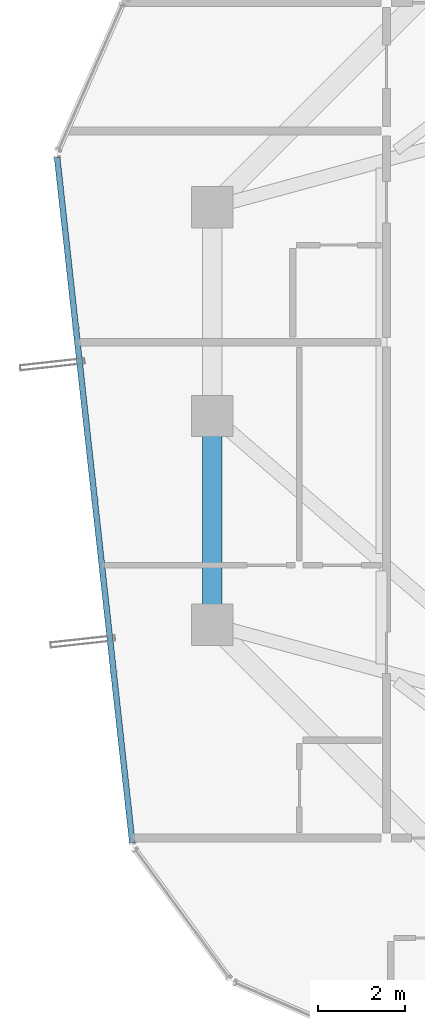
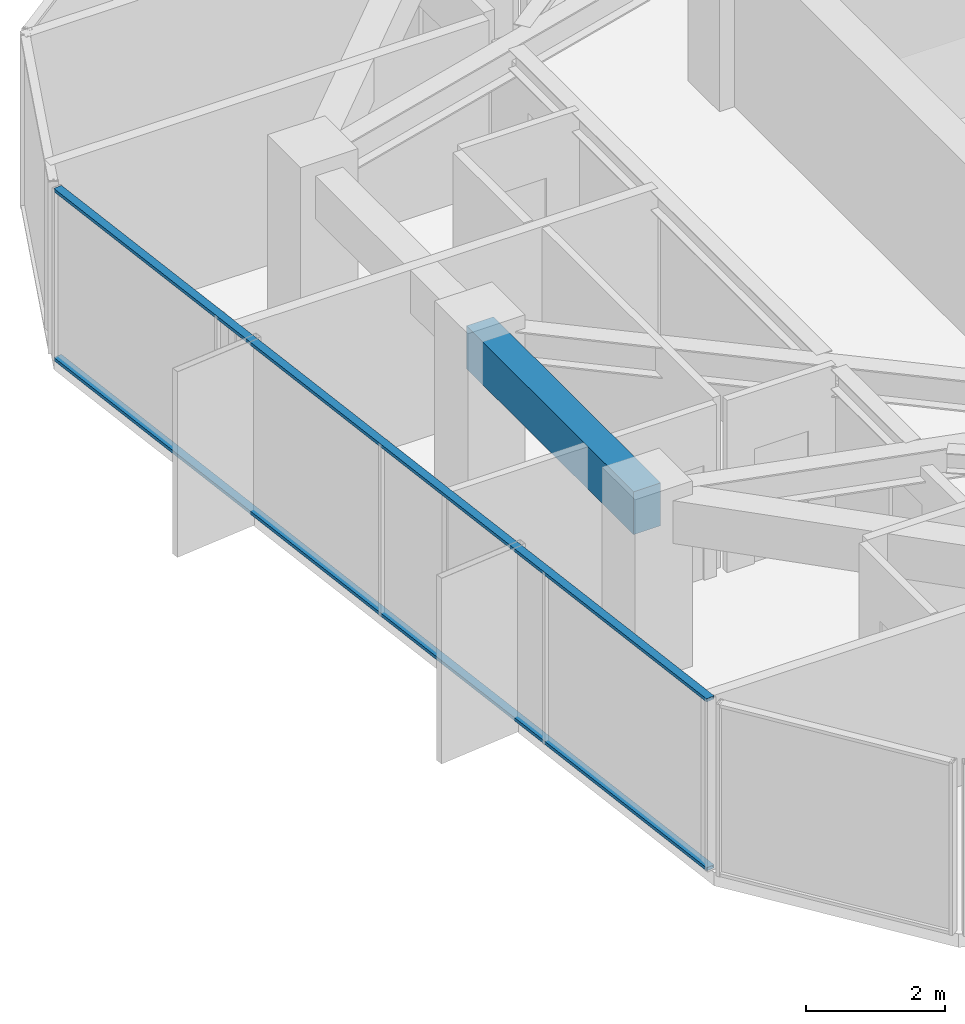
# One storey, part 11 of 32: 2 members, 1 beam, 1 element without a shape of its own.
"""IFC4 building model written with IfcOpenShell, lengths in metres."""

from ifc_helpers import new_model, si_unit, direction, frame, origin, origin_2d, place, context, subcontext, project, spatial, rectangle, hollow_rectangle, extrude, source, transform, mapped, material, layer, layer_set, material_profile, profile_set, type_object, element, aggregate, save


model = new_model("IFC4")

# Units and contexts
model_context = context("Model", 3, precision=1e-05, world=origin(), true_north=direction((0.0, 1.0)))
body_context = subcontext(model_context, "Body", "Model", "MODEL_VIEW")
ifc_project = project(units=[si_unit("LENGTHUNIT", "METRE"), si_unit("AREAUNIT", "SQUARE_METRE"), si_unit("VOLUMEUNIT", "CUBIC_METRE"), si_unit("PLANEANGLEUNIT", "RADIAN"), si_unit("MASSUNIT", "GRAM", prefix="KILO")], contexts=[model_context])

# Site, building, storey
site_placement = place(None, origin())
site = spatial("IfcSite", under=ifc_project, at=site_placement, CompositionType="ELEMENT")
building_placement = place(site_placement, origin())
building = spatial("IfcBuilding", under=site, at=building_placement, Name="Veraguas Prism Commons", CompositionType="ELEMENT")
storey_placement = place(building_placement, frame((0.0, 0.0, 185.35009765625)))
storey = spatial("IfcBuildingStorey", under=building, at=storey_placement, Name="L52", CompositionType="ELEMENT", Elevation=185.35009765625)

# Beam
ifc_material_1 = material(Name="Concrete C50/60", Category="concrete")
ifc_material_profile_1 = material_profile(ifc_material_1, rectangle(XDim=0.449951171875, YDim=0.75, at=origin_2d()), Name="RC450X750")
ifc_profile_set_1 = profile_set([ifc_material_profile_1], Name="Concrete C50/60")
beam_type = type_object("IfcBeamType", Name="Perimeter Spandrel Upper RC 450x750", PredefinedType="SPANDREL", material=ifc_profile_set_1)
beam_placement = place(storey_placement, frame((9.10009765625, 24.0, 2.639892578125), z_axis=(0.0, -1.0, 0.0), x_axis=(1.0, 0.0, 0.0)))
element("IfcBeam", 1, at=beam_placement, inside=storey, type_object=beam_type, Name="Perimeter Spandrel Beam L52-SP08", PredefinedType="SPANDREL", context=body_context, shape_type="SweptSolid", body=[
    extrude(rectangle(XDim=0.449951171875, YDim=0.75, at=origin_2d()), origin(), (0.0, 0.0, 1.0), 4.800048828125),
])

# Curtain wall, members
ifc_material_2 = material(Name="Anodised aluminium EN AW-6063 T6", Category="aluminium")
ifc_layer = layer(ifc_material_2, 0.14990234375, Name="Unitised Flush Curtain Wall Zone 3", Category="aluminium")
ifc_layer_set = layer_set([ifc_layer], Name="Anodised aluminium EN AW-6063 T6")
curtain_wall_type = type_object("IfcCurtainWallType", Name="Unitised Flush Curtain Wall Zone 3", PredefinedType="NOTDEFINED", material=ifc_layer_set)
curtain_wall_placement = place(storey_placement, origin())
curtain_wall = element("IfcCurtainWall", 2, at=curtain_wall_placement, inside=storey, type_object=curtain_wall_type, Name="Tower Facade Curtain Wall L52-F3", PredefinedType="NOTDEFINED")
ifc_material_profile_2 = material_profile(ifc_material_2, hollow_rectangle(XDim=0.054931640625, YDim=0.135009765625, WallThickness=0.0029296875, at=origin_2d()), Name="AL55X135X3")
ifc_profile_set_2 = profile_set([ifc_material_profile_2], Name="Anodised aluminium EN AW-6063 T6")
member_type = type_object("IfcMemberType", Name="Curtain Wall Transom Standard AL 55x135x3", PredefinedType="USERDEFINED", material=ifc_profile_set_2)
shared_shape = source(origin(), body_context, "Body", "SweptSolid", [
    extrude(hollow_rectangle(XDim=0.054931640625, YDim=0.135009765625, WallThickness=0.0029296875, at=origin_2d()), origin(), (0.0, 0.0, 1.0), 15.842529296875),
])
member_1_placement = place(storey_placement, frame((5.531494140625, 29.94287109375, 0.02734375), z_axis=(0.109044476369, -0.994036871637, 0.0), x_axis=(0.0, 0.0, 1.0)))
member_1 = element("IfcMember", 3, at=member_1_placement, type_object=member_type, Name="CW-Z3 Transom 1", ObjectType="TRANSOM", PredefinedType="USERDEFINED", context=body_context, shape_type="MappedRepresentation", body=[
    mapped(shared_shape, transform((0.0, 0.0, 0.0), scale=1.0)),
])
member_2_placement = place(storey_placement, frame((5.531494140625, 29.94287109375, 2.9873046875), z_axis=(0.109044476369, -0.994036871637, 0.0), x_axis=(0.0, 0.0, 1.0)))
member_2 = element("IfcMember", 4, at=member_2_placement, type_object=member_type, Name="CW-Z3 Transom 2", ObjectType="TRANSOM", PredefinedType="USERDEFINED", context=body_context, shape_type="MappedRepresentation", body=[
    mapped(shared_shape, transform((0.0, 0.0, 0.0), scale=1.0)),
])
aggregate(curtain_wall, [member_1, member_2])

save(model, "model.ifc")
